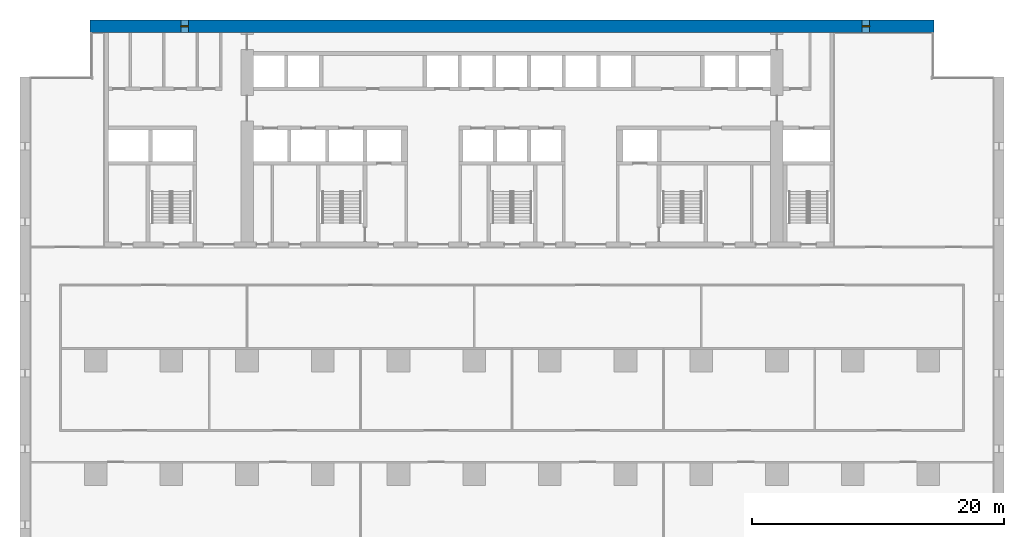
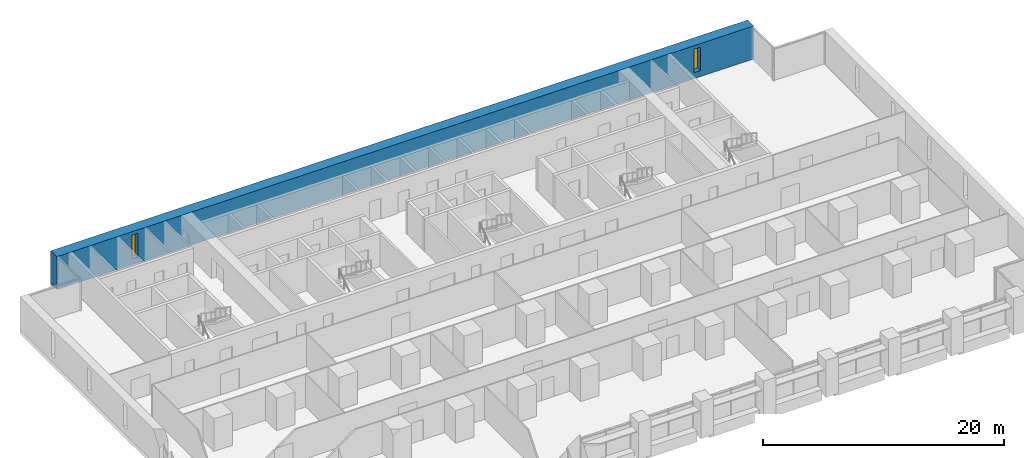
# One storey, part 12 of 18: 2 windows, 1 wall, 2 openings.
"""IFC4 building model written with IfcOpenShell, lengths in metres."""

from ifc_helpers import new_model, si_unit, direction, frame, frame_2d, origin, place, context, subcontext, project, spatial, rectangle, extrude, material, layer, layer_set, type_object, element, fill, save


model = new_model("IFC4")

# Units and contexts
model_context = context("Model", 3, precision=1e-05, world=origin(), true_north=direction((0.0, 1.0)))
body_context = subcontext(model_context, "Body", "Model", "MODEL_VIEW")
ifc_project = project(units=[si_unit("LENGTHUNIT", "METRE"), si_unit("AREAUNIT", "SQUARE_METRE"), si_unit("VOLUMEUNIT", "CUBIC_METRE"), si_unit("PLANEANGLEUNIT", "RADIAN"), si_unit("MASSUNIT", "GRAM", prefix="KILO")], contexts=[model_context])

# Site, building, storey
site_placement = place(None, origin())
site = spatial("IfcSite", under=ifc_project, at=site_placement, CompositionType="ELEMENT")
building_placement = place(site_placement, origin())
building = spatial("IfcBuilding", under=site, at=building_placement, Name="Calvaro Tower", CompositionType="ELEMENT")
storey_placement = place(building_placement, frame((0.0, 0.0, 33.75)))
storey = spatial("IfcBuildingStorey", under=building, at=storey_placement, Name="L07", CompositionType="ELEMENT", Elevation=33.75)

# Wall, openings, windows
ifc_material_1 = material(Name="Concrete C80/95", Category="concrete")
ifc_layer = layer(ifc_material_1, 1.0)
ifc_layer_set = layer_set([ifc_layer], Name="Concrete C80/95")
wall_type = type_object("IfcWallType", Name="Rear core wall 1000 C80/95", PredefinedType="SHEAR", material=ifc_layer_set)
wall_placement = place(storey_placement, frame((5.550048828125, 45.5, 0.0), z_axis=(0.0, 0.0, 1.0), x_axis=(1.0, 0.0, 0.0)))
wall = element("IfcWall", 1, at=wall_placement, inside=storey, type_object=wall_type, Name="North core wall", PredefinedType="SHEAR", context=body_context, shape_type="SweptSolid", body=[
    extrude(rectangle(XDim=66.89990234375, YDim=1.0, at=frame_2d((33.449951171875, 0.0))), origin(), (0.0, 0.0, 1.0), 3.35009765625),
])
opening_1_placement = place(wall_placement, frame((7.199951171875, 0.0, 0.60009765625)))
opening_1 = element("IfcOpeningElement", 2, at=opening_1_placement, cuts=wall, Name="Opening WN02", PredefinedType="OPENING", context=body_context, shape_type="SweptSolid", body=[
    extrude(rectangle(XDim=0.60009765625, YDim=2.39990234375, at=frame_2d((0.300048828125, 1.199951171875))), frame((0.0, 0.510009765625, 0.0), z_axis=(0.0, -1.0, 0.0), x_axis=(1.0, 0.0, 0.0)), (0.0, 0.0, 1.0), 1.02001953125),
])
opening_2_placement = place(wall_placement, frame((61.199951171875, 0.0, 0.60009765625)))
opening_2 = element("IfcOpeningElement", 3, at=opening_2_placement, cuts=wall, Name="Opening WN11", PredefinedType="OPENING", context=body_context, shape_type="SweptSolid", body=[
    extrude(rectangle(XDim=0.60009765625, YDim=2.39990234375, at=frame_2d((0.300048828125, 1.199951171875))), frame((0.0, 0.510009765625, 0.0), z_axis=(0.0, -1.0, 0.0), x_axis=(1.0, 0.0, 0.0)), (0.0, 0.0, 1.0), 1.02001953125),
])
ifc_material_2 = material(Name="Glass", Category="glass")
window_type = type_object("IfcWindowType", Name="Slit window 600 x 2400", PartitioningType="SINGLE_PANEL", PredefinedType="WINDOW", material=ifc_material_2)
window_1_placement = place(opening_1_placement, origin())
window_1 = element("IfcWindow", 4, at=window_1_placement, inside=storey, type_object=window_type, Name="Window WN02", OverallHeight=2.39990234375, OverallWidth=0.60009765625, PartitioningType="SINGLE_PANEL", PredefinedType="WINDOW", context=body_context, shape_type="SweptSolid", body=[
    extrude(rectangle(XDim=0.60009765625, YDim=2.39990234375, at=frame_2d((0.300048828125, 1.199951171875))), frame((0.0, 0.030029296875, 0.0), z_axis=(0.0, -1.0, 0.0), x_axis=(1.0, 0.0, 0.0)), (0.0, 0.0, 1.0), 0.06005859375),
])
fill(opening_1, window_1)
window_2_placement = place(opening_2_placement, origin())
window_2 = element("IfcWindow", 5, at=window_2_placement, inside=storey, type_object=window_type, Name="Window WN11", OverallHeight=2.39990234375, OverallWidth=0.60009765625, PartitioningType="SINGLE_PANEL", PredefinedType="WINDOW", context=body_context, shape_type="SweptSolid", body=[
    extrude(rectangle(XDim=0.60009765625, YDim=2.39990234375, at=frame_2d((0.300048828125, 1.199951171875))), frame((0.0, 0.030029296875, 0.0), z_axis=(0.0, -1.0, 0.0), x_axis=(1.0, 0.0, 0.0)), (0.0, 0.0, 1.0), 0.06005859375),
])
fill(opening_2, window_2)

save(model, "model.ifc")
